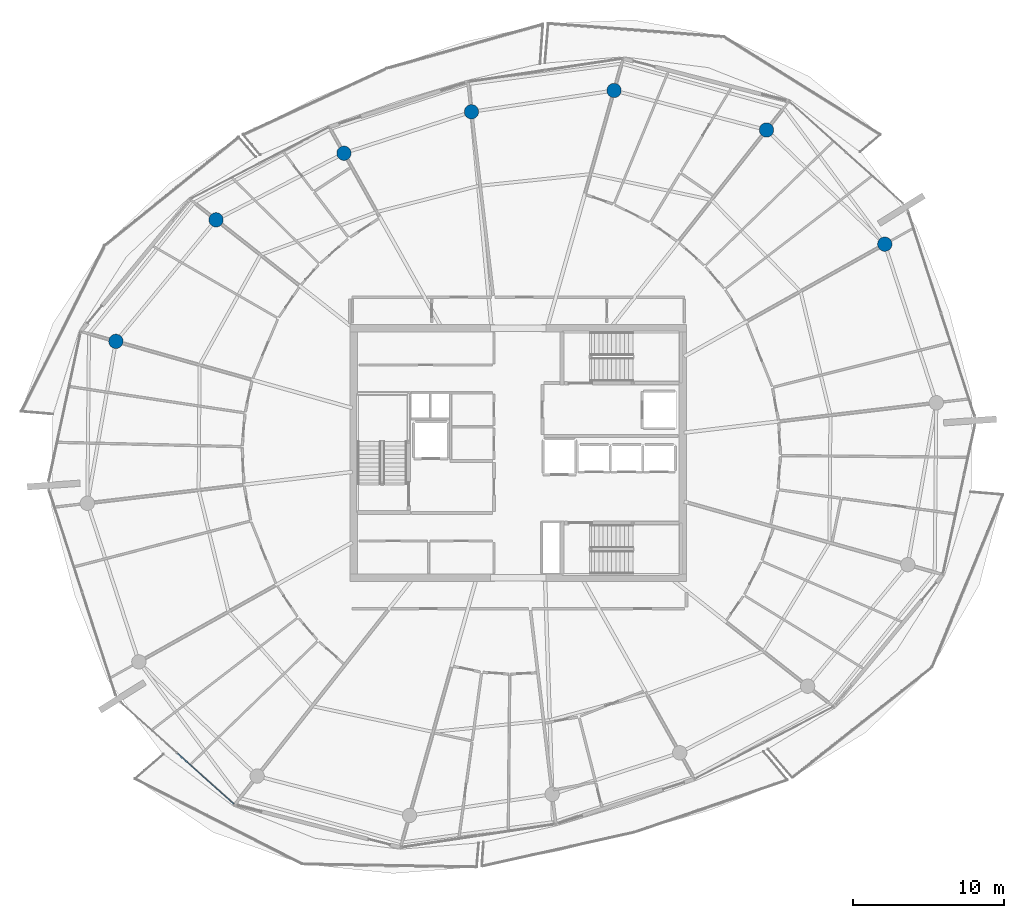
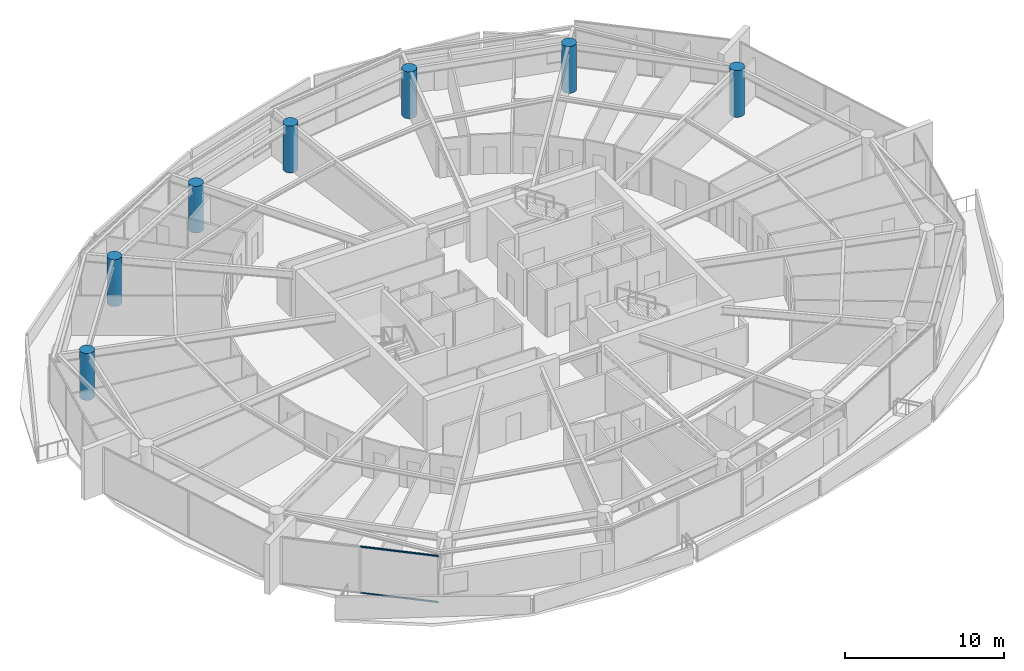
# One storey, part 4 of 29: 7 columns, 2 members, 1 element without a shape of its own.
"""IFC4 building model written with IfcOpenShell, lengths in metres."""

from ifc_helpers import new_model, si_unit, direction, frame, origin, origin_2d, place, context, subcontext, project, spatial, rectangle, circle, extrude, material, layer, layer_set, material_profile, profile_set, type_object, element, aggregate, save


model = new_model("IFC4")

# Units and contexts
model_context = context("Model", 3, precision=1e-05, world=origin(), true_north=direction((0.0, 1.0)))
body_context = subcontext(model_context, "Body", "Model", "MODEL_VIEW")
ifc_project = project(units=[si_unit("LENGTHUNIT", "METRE"), si_unit("AREAUNIT", "SQUARE_METRE"), si_unit("VOLUMEUNIT", "CUBIC_METRE"), si_unit("PLANEANGLEUNIT", "RADIAN"), si_unit("MASSUNIT", "GRAM", prefix="KILO")], contexts=[model_context])

# Site, building, storey
site_placement = place(None, origin())
site = spatial("IfcSite", under=ifc_project, at=site_placement, CompositionType="ELEMENT")
building_placement = place(site_placement, origin())
building = spatial("IfcBuilding", under=site, at=building_placement, Name="Kazma Halo Residences", CompositionType="ELEMENT")
storey_placement = place(building_placement, frame((0.0, 0.0, 282.89990234375)))
storey = spatial("IfcBuildingStorey", under=building, at=storey_placement, Name="L71", CompositionType="ELEMENT", Elevation=282.89990234375)

# Columns
ifc_material_1 = material(Name="Concrete C60/75", Category="concrete")
ifc_material_profile_1 = material_profile(ifc_material_1, circle(Radius=0.47509765625, at=origin_2d()), Name="CIRC950")
ifc_profile_set_1 = profile_set([ifc_material_profile_1], Name="Concrete C60/75")
column_type = type_object("IfcColumnType", Name="COL-PERIM-950", PredefinedType="COLUMN", material=ifc_profile_set_1)
for number, where, z_axis, x_axis, name in (
    (1, (72.67041015625, 55.81591796875, 0.0), (0.0, 0.0, 1.0), (1.0, 0.0, 0.0), "L71 perimeter ring column P01"),
    (2, (64.84716796875, 63.37060546875, 0.0), (0.0, 0.0, 1.0), (1.0, 0.0, 0.0), "L71 perimeter ring column P02"),
    (3, (54.762939453125, 65.9794921875, 0.0), (0.0, 0.0, 1.0), (1.0, 0.0, 0.0), "L71 perimeter ring column P03"),
    (4, (45.32861328125, 64.57080078125, 0.0), (0.0, 0.0, 1.0), (1.0, 0.0, 0.0), "L71 perimeter ring column P04"),
    (5, (36.89453125, 61.830322265625, 0.0), (0.0, 0.0, 1.0), (1.0, 0.0, 0.0), "L71 perimeter ring column P05"),
    (6, (28.433837890625, 57.4248046875, 0.0), (0.0, 0.0, 1.0), (1.0, 0.0, 0.0), "L71 perimeter ring column P06"),
    (7, (21.80908203125, 49.38671875, 0.0), (0.0, 0.0, 1.0), (1.0, 0.0, 0.0), "L71 perimeter ring column P07"),
):
    element("IfcColumn", number, at=place(storey_placement, frame(where, z_axis=z_axis, x_axis=x_axis)), inside=storey, type_object=column_type, Name=name, PredefinedType="COLUMN", context=body_context, shape_type="SweptSolid", body=[
        extrude(circle(Radius=0.47509765625, at=origin_2d()), origin(), (0.0, 0.0, 1.0), 3.590087890625),
    ])

# Curtain wall, members
ifc_material_2 = material(Name="Aluminium AW-6063 T6 and Triple-Silver Low-E Glass", Category="aluminium")
ifc_layer = layer(ifc_material_2, 0.139892578125)
ifc_layer_set = layer_set([ifc_layer], Name="Aluminium AW-6063 T6 and Triple-Silver Low-E Glass")
curtain_wall_type = type_object("IfcCurtainWallType", Name="CW-SYS-5", PredefinedType="NOTDEFINED", material=ifc_layer_set)
curtain_wall_placement = place(storey_placement, origin())
curtain_wall = element("IfcCurtainWall", 8, at=curtain_wall_placement, inside=storey, type_object=curtain_wall_type, Name="L71 unitised curtain wall B09", PredefinedType="NOTDEFINED")
ifc_material_3 = material(Name="Aluminium AW-6063 T6", Category="aluminium")
ifc_material_profile_2 = material_profile(ifc_material_3, rectangle(XDim=0.06005859375, YDim=0.10498046875, at=origin_2d()), Name="CWT-60x105")
ifc_profile_set_2 = profile_set([ifc_material_profile_2], Name="Aluminium AW-6063 T6")
member_type = type_object("IfcMemberType", Name="CW-SYS-5-TRN", PredefinedType="USERDEFINED", material=ifc_profile_set_2)
member_1_placement = place(storey_placement, frame((25.900390625, 22.11328125, 0.030029296875), z_axis=(0.744350700793, -0.667788914425, 0.0), x_axis=(0.667788914425, 0.744350700793, 0.0)))
member_1 = element("IfcMember", 9, at=member_1_placement, type_object=member_type, Name="CWS-5 transom 2.1", ObjectType="TRANSOM", PredefinedType="USERDEFINED", context=body_context, shape_type="SweptSolid", body=[
    extrude(rectangle(XDim=0.06005859375, YDim=0.10498046875, at=origin_2d()), origin(), (0.0, 0.0, 1.0), 4.99365234375),
])
member_2_placement = place(storey_placement, frame((25.900390625, 22.11328125, 3.56005859375), z_axis=(0.744350700793, -0.667788914425, 0.0), x_axis=(0.667788914425, 0.744350700793, 0.0)))
member_2 = element("IfcMember", 10, at=member_2_placement, type_object=member_type, Name="CWS-5 transom 2.2", ObjectType="TRANSOM", PredefinedType="USERDEFINED", context=body_context, shape_type="SweptSolid", body=[
    extrude(rectangle(XDim=0.06005859375, YDim=0.10498046875, at=origin_2d()), origin(), (0.0, 0.0, 1.0), 4.99365234375),
])
aggregate(curtain_wall, [member_1, member_2])

save(model, "model.ifc")
